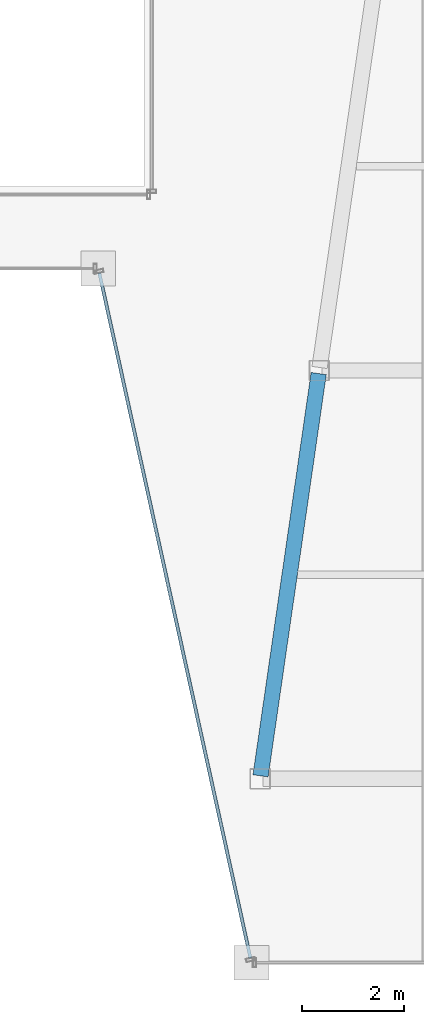
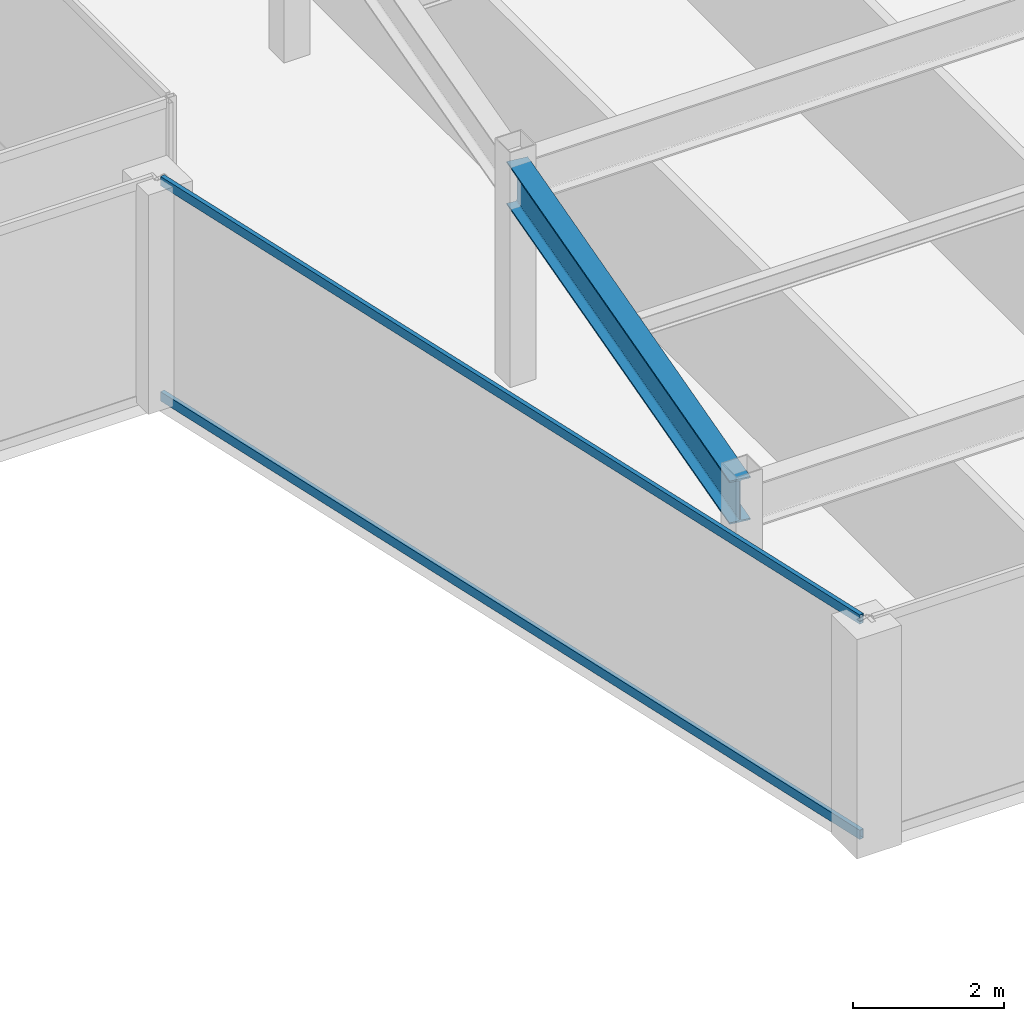
# One storey, part 17 of 36: 2 members, 1 beam, 1 element without a shape of its own.
"""IFC4 building model written with IfcOpenShell, lengths in metres."""

from ifc_helpers import new_model, si_unit, direction, frame, origin, origin_2d, place, context, subcontext, project, spatial, hollow_rectangle, i_section, extrude, material, material_profile, profile_set, type_object, element, aggregate, save


model = new_model("IFC4")

# Units and contexts
model_context = context("Model", 3, precision=1e-05, world=origin(), true_north=direction((0.0, 1.0)))
body_context = subcontext(model_context, "Body", "Model", "MODEL_VIEW")
ifc_project = project(units=[si_unit("LENGTHUNIT", "METRE"), si_unit("AREAUNIT", "SQUARE_METRE"), si_unit("VOLUMEUNIT", "CUBIC_METRE"), si_unit("PLANEANGLEUNIT", "RADIAN"), si_unit("MASSUNIT", "GRAM", prefix="KILO")], contexts=[model_context])

# Site, building, storey
site_placement = place(None, origin())
site = spatial("IfcSite", under=ifc_project, at=site_placement, CompositionType="ELEMENT")
building_placement = place(site_placement, origin())
building = spatial("IfcBuilding", under=site, at=building_placement, Name="Saevonmaru Cultural Tower", CompositionType="ELEMENT")
storey_placement = place(building_placement, frame((0.0, 0.0, 201.800048828125)))
storey = spatial("IfcBuildingStorey", under=building, at=storey_placement, Name="L46", CompositionType="ELEMENT", Elevation=201.800048828125)

# Beam
ifc_material_1 = material(Name="Steel SM355", Category="steel")
ifc_material_profile_1 = material_profile(ifc_material_1, i_section(OverallWidth=0.300048828125, OverallDepth=0.699951171875, WebThickness=0.012939453125, FlangeThickness=0.02392578125, FilletRadius=0.02587890625, at=origin_2d()), Name="H-700x300x13x24")
ifc_profile_set_1 = profile_set([ifc_material_profile_1], Name="Steel SM355")
beam_type = type_object("IfcBeamType", Name="BM-G-H700", PredefinedType="BEAM", material=ifc_profile_set_1)
beam_placement = place(storey_placement, frame((38.08056640625, 16.059326171875, 3.199951171875), z_axis=(0.143022161059, 0.989719486241, 0.0), x_axis=(-0.989719486241, 0.143022161059, 0.0)))
element("IfcBeam", 1, at=beam_placement, inside=storey, type_object=beam_type, Name="L46 East Atrium Girder 1", PredefinedType="BEAM", context=body_context, shape_type="SweptSolid", body=[
    extrude(i_section(OverallWidth=0.300048828125, OverallDepth=0.699951171875, WebThickness=0.012939453125, FlangeThickness=0.02392578125, FilletRadius=0.02587890625, at=origin_2d()), origin(), (0.0, 0.0, 1.0), 7.963134765625),
])

# Curtain wall, members
ifc_material_2 = material(Name="Satin Bronze Anodised Aluminium", Category="aluminium")
curtain_wall_type = type_object("IfcCurtainWallType", Name="CW-TYP-B", PredefinedType="NOTDEFINED", material=ifc_material_2)
curtain_wall_placement = place(storey_placement, origin())
curtain_wall = element("IfcCurtainWall", 2, at=curtain_wall_placement, inside=storey, type_object=curtain_wall_type, Name="L46 Unitised Curtain Wall E5", PredefinedType="NOTDEFINED")
ifc_material_profile_2 = material_profile(ifc_material_2, hollow_rectangle(XDim=0.06494140625, YDim=0.14990234375, WallThickness=0.00390625, at=origin_2d()), Name="ALU-TRAN-150x65x4")
ifc_profile_set_2 = profile_set([ifc_material_profile_2], Name="Satin Bronze Anodised Aluminium")
member_type = type_object("IfcMemberType", Name="TR-CW-150x65", PredefinedType="USERDEFINED", material=ifc_profile_set_2)
member_1_placement = place(storey_placement, frame((34.922119140625, 25.90966796875, 0.032470703125), z_axis=(0.21541214732, -0.976523223885, 0.0), x_axis=(0.976523223885, 0.21541214732, 0.0)))
member_1 = element("IfcMember", 3, at=member_1_placement, type_object=member_type, Name="CW-TW-L46-E5 transom 1.1", ObjectType="TRANSOM", PredefinedType="USERDEFINED", context=body_context, shape_type="SweptSolid", body=[
    extrude(hollow_rectangle(XDim=0.06494140625, YDim=0.14990234375, WallThickness=0.00390625, at=origin_2d()), origin(), (0.0, 0.0, 1.0), 13.741943359375),
])
member_2_placement = place(storey_placement, frame((34.922119140625, 25.90966796875, 3.517333984375), z_axis=(0.21541214732, -0.976523223885, 0.0), x_axis=(0.976523223885, 0.21541214732, 0.0)))
member_2 = element("IfcMember", 4, at=member_2_placement, type_object=member_type, Name="CW-TW-L46-E5 transom 1.2", ObjectType="TRANSOM", PredefinedType="USERDEFINED", context=body_context, shape_type="SweptSolid", body=[
    extrude(hollow_rectangle(XDim=0.06494140625, YDim=0.14990234375, WallThickness=0.00390625, at=origin_2d()), origin(), (0.0, 0.0, 1.0), 13.741943359375),
])
aggregate(curtain_wall, [member_1, member_2])

save(model, "model.ifc")
